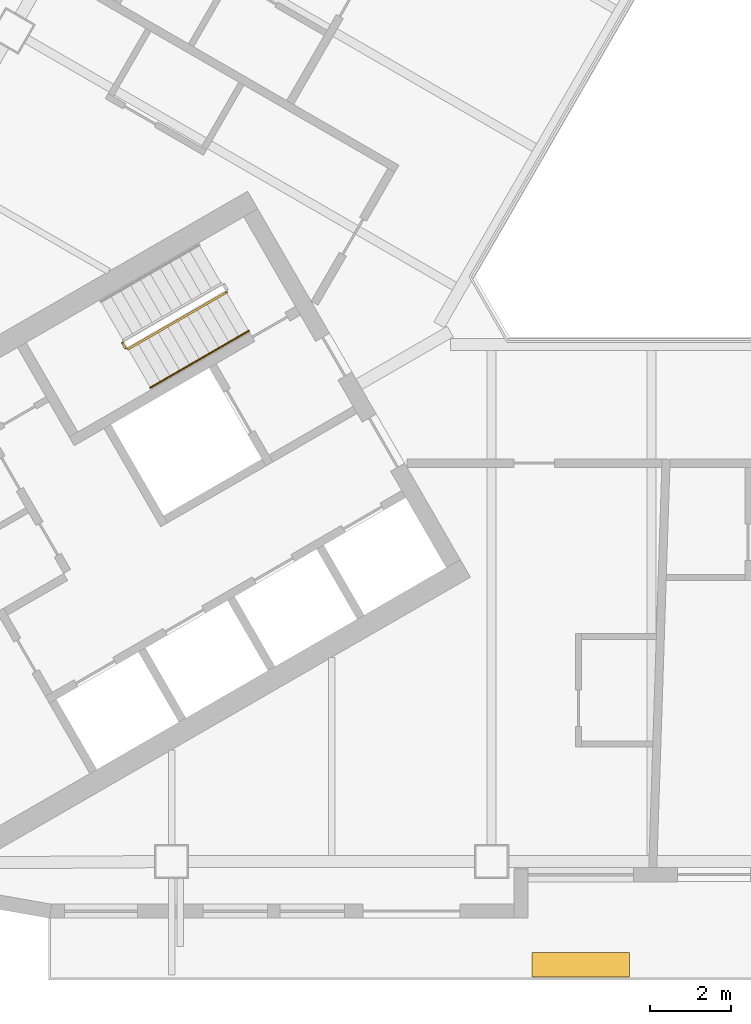
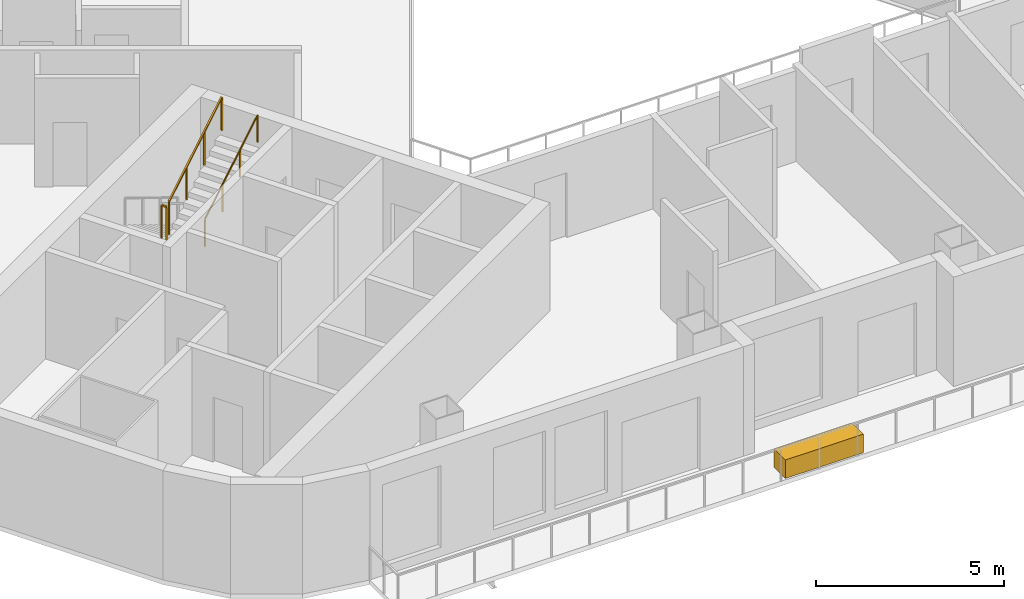
# One storey, part 9 of 14: 3 railings, 1 covering.
"""IFC4 building model written with IfcOpenShell, lengths in metres."""

from ifc_helpers import new_model, si_unit, direction, frame, origin, origin_2d, place, context, subcontext, project, spatial, rectangle, circle, extrude, material, type_object, element, save


model = new_model("IFC4")

# Units and contexts
model_context = context("Model", 3, precision=1e-05, world=origin(), true_north=direction((0.0, 1.0)))
body_context = subcontext(model_context, "Body", "Model", "MODEL_VIEW")
ifc_project = project(units=[si_unit("LENGTHUNIT", "METRE"), si_unit("AREAUNIT", "SQUARE_METRE"), si_unit("VOLUMEUNIT", "CUBIC_METRE"), si_unit("PLANEANGLEUNIT", "RADIAN"), si_unit("MASSUNIT", "GRAM", prefix="KILO")], contexts=[model_context])

# Site, building, storey
site_placement = place(None, origin())
site = spatial("IfcSite", under=ifc_project, at=site_placement, CompositionType="ELEMENT")
building_placement = place(site_placement, origin())
building = spatial("IfcBuilding", under=site, at=building_placement, Name="Apuvela Tower Hotel", CompositionType="ELEMENT")
storey_placement = place(building_placement, frame((0.0, 0.0, 172.5)))
storey = spatial("IfcBuildingStorey", under=building, at=storey_placement, Name="L41", CompositionType="ELEMENT", Elevation=172.5)

# Railings
ifc_material_1 = material(Name="Steel S275 balustrade", Category="steel")
railing_type_1 = type_object("IfcRailingType", Name="COR-GUARD-1100", PredefinedType="GUARDRAIL", material=ifc_material_1)
railing_1_placement = place(storey_placement, frame((-17.01220703125, -5.43408203125, 1.85009765625)))
element("IfcRailing", 1, at=railing_1_placement, inside=storey, type_object=railing_type_1, Name="L41 ST2 stair guard 2", PredefinedType="GUARDRAIL", context=body_context, shape_type="SweptSolid", body=[
    extrude(rectangle(XDim=0.048095703125, YDim=0.048095703125, at=origin_2d()), frame((0.0, 0.0, 1.076171875), z_axis=(0.499816412211, -0.866131372301, 0.0), x_axis=(0.866131372301, 0.499816412211, 0.0)), (0.0, 0.0, 1.0), 0.14990234375),
    extrude(rectangle(XDim=0.0419921875, YDim=0.0419921875, at=origin_2d()), origin(), (0.0, 0.0, 1.0), 1.052001953125),
    extrude(rectangle(XDim=0.0419921875, YDim=0.0419921875, at=origin_2d()), frame((0.074951171875, -0.1298828125, 0.0)), (0.0, 0.0, 1.0), 1.052001953125),
])
railing_2_placement = place(storey_placement, frame((-16.868896484375, -5.582275390625, 2.01806640625)))
element("IfcRailing", 2, at=railing_2_placement, inside=storey, type_object=railing_type_1, Name="L41 ST2 stair guard 3", PredefinedType="GUARDRAIL", context=body_context, shape_type="SweptSolid", body=[
    extrude(rectangle(XDim=0.048095703125, YDim=0.048095703125, at=origin_2d()), frame((0.0, 0.0, 1.076171875), z_axis=(0.742390482028, 0.42860119049, 0.514934356695), x_axis=(-0.49998411664, 0.866034573852, 0.0)), (0.0, 0.0, 1.0), 3.26611328125),
    extrude(rectangle(XDim=0.0419921875, YDim=0.0419921875, at=origin_2d()), origin(), (0.0, 0.0, 1.0), 1.052001953125),
    extrude(rectangle(XDim=0.0419921875, YDim=0.0419921875, at=origin_2d()), frame((0.808349609375, 0.466552734375, 0.560546875)), (0.0, 0.0, 1.0), 1.052001953125),
    extrude(rectangle(XDim=0.0419921875, YDim=0.0419921875, at=origin_2d()), frame((1.616455078125, 0.933349609375, 1.121337890625)), (0.0, 0.0, 1.0), 1.052001953125),
    extrude(rectangle(XDim=0.0419921875, YDim=0.0419921875, at=origin_2d()), frame((2.4248046875, 1.39990234375, 1.681884765625)), (0.0, 0.0, 1.0), 1.052001953125),
])
ifc_material_2 = material(Name="Stainless steel 316 handrail", Category="steel")
railing_type_2 = type_object("IfcRailingType", Name="COR-HANDRAIL-900", PredefinedType="HANDRAIL", material=ifc_material_2)
railing_3_placement = place(storey_placement, frame((-16.31884765625, -6.534912109375, 2.01806640625)))
element("IfcRailing", 3, at=railing_3_placement, inside=storey, type_object=railing_type_2, Name="L41 ST2 stair handrail 2", PredefinedType="HANDRAIL", context=body_context, shape_type="SweptSolid", body=[
    extrude(circle(Radius=0.02392578125, at=origin_2d()), frame((0.0, 0.0, 0.8759765625), z_axis=(0.742390482028, 0.42860119049, 0.514934356695), x_axis=(-0.49998411664, 0.866034573852, 0.0)), (0.0, 0.0, 1.0), 3.26611328125),
    extrude(rectangle(XDim=0.0419921875, YDim=0.0419921875, at=origin_2d()), origin(), (0.0, 0.0, 1.0), 0.851806640625),
    extrude(rectangle(XDim=0.0419921875, YDim=0.0419921875, at=origin_2d()), frame((0.808349609375, 0.466552734375, 0.560546875)), (0.0, 0.0, 1.0), 0.851806640625),
    extrude(rectangle(XDim=0.0419921875, YDim=0.0419921875, at=origin_2d()), frame((1.616455078125, 0.933349609375, 1.121337890625)), (0.0, 0.0, 1.0), 0.851806640625),
    extrude(rectangle(XDim=0.0419921875, YDim=0.0419921875, at=origin_2d()), frame((2.4248046875, 1.39990234375, 1.681884765625)), (0.0, 0.0, 1.0), 0.851806640625),
])

# Covering
ifc_material_3 = material(Name="Planting substrate and soil, planted")
covering_type = type_object("IfcCoveringType", Name="ENV-PLANTER-2400x600", PredefinedType="USERDEFINED", material=ifc_material_3)
covering_placement = place(storey_placement, frame((-5.69970703125, -20.780029296875, 0.0), z_axis=(0.0, 0.0, 1.0), x_axis=(1.0, 0.0, 0.0)))
element("IfcCovering", 4, at=covering_placement, inside=storey, type_object=covering_type, Name="Planter S1", ObjectType="PLANTER", PredefinedType="USERDEFINED", context=body_context, shape_type="SweptSolid", body=[
    extrude(rectangle(XDim=2.39990234375, YDim=0.60009765625, at=origin_2d()), origin(), (0.0, 0.0, 1.0), 0.60009765625),
])

save(model, "model.ifc")
